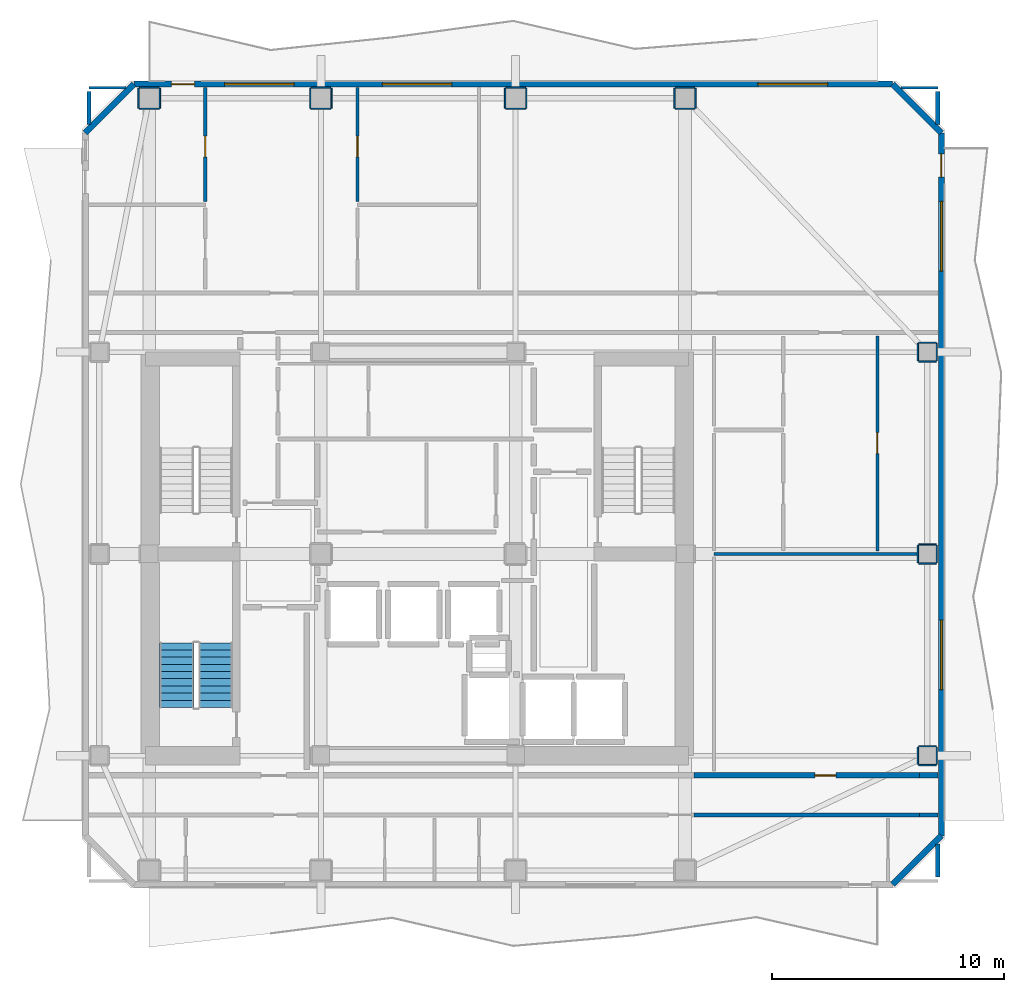
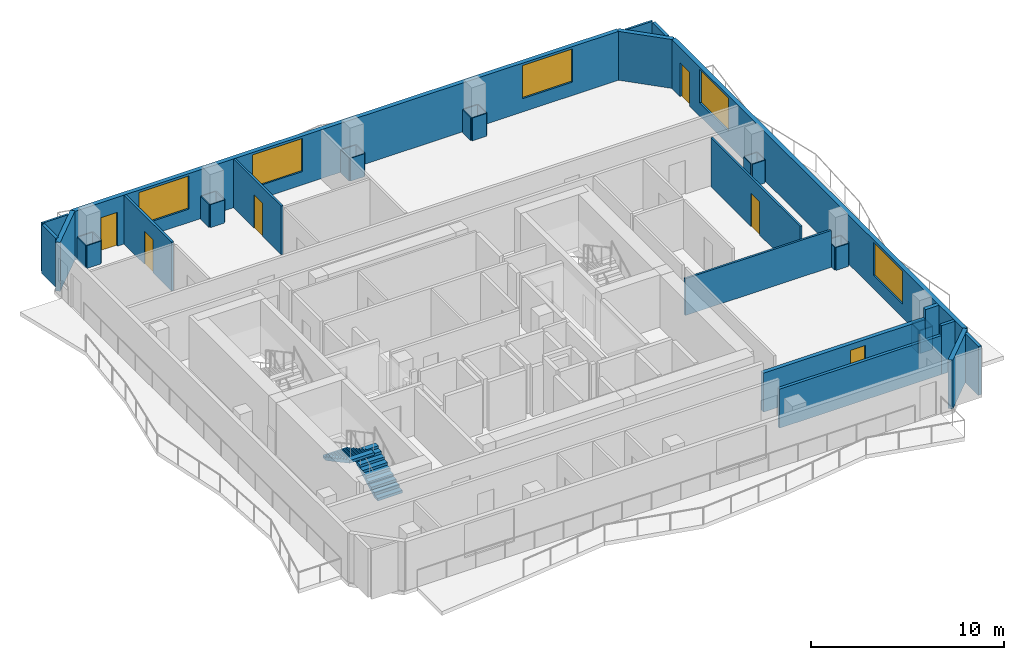
# One storey, part 5 of 9: 46 walls, 6 doors, 5 windows, 2 stair flights, 11 openings, 1 element without a shape of its own.
"""IFC4 building model written with IfcOpenShell, lengths in metres."""

from ifc_helpers import new_model, si_unit, direction, frame, frame_2d, origin, place, context, subcontext, project, spatial, polyline, rectangle, outline, extrude, material, layer, layer_set, type_object, element, fill, aggregate, save


model = new_model("IFC4")

# Units and contexts
model_context = context("Model", 3, precision=1e-05, world=origin(), true_north=direction((0.0, 1.0)))
body_context = subcontext(model_context, "Body", "Model", "MODEL_VIEW")
ifc_project = project(units=[si_unit("LENGTHUNIT", "METRE"), si_unit("AREAUNIT", "SQUARE_METRE"), si_unit("VOLUMEUNIT", "CUBIC_METRE"), si_unit("PLANEANGLEUNIT", "RADIAN"), si_unit("MASSUNIT", "GRAM", prefix="KILO")], contexts=[model_context])

# Site, building, storey
site_placement = place(None, origin())
site = spatial("IfcSite", under=ifc_project, at=site_placement, CompositionType="ELEMENT")
building_placement = place(site_placement, origin())
building = spatial("IfcBuilding", under=site, at=building_placement, Name="Solanera Arch Residences", CompositionType="ELEMENT")
storey_placement = place(building_placement, frame((0.0, 0.0, 241.239990234375)))
storey = spatial("IfcBuildingStorey", under=building, at=storey_placement, Name="L70", CompositionType="ELEMENT", Elevation=241.239990234375)

# Walls
ifc_material_1 = material(Name="Fire-Rated Gypsum Stud Partition", Category="gypsum")
ifc_layer_1 = layer(ifc_material_1, 0.06005859375)
ifc_layer_set_1 = layer_set([ifc_layer_1], Name="Fire-Rated Gypsum Stud Partition")
wall_type_1 = type_object("IfcWallType", Name="Column Acoustic Furring Wall 60", PredefinedType="PARTITIONING", material=ifc_layer_set_1)
for number, where, z_axis, x_axis, name in (
    (1, (12.97509765625, 49.89306640625, 0.0), (0.0, 0.0, 1.0), (1.0, 0.0, 0.0), "L70 Column Furring 10S"),
    (2, (12.97509765625, 50.806884765625, 0.0), (0.0, 0.0, 1.0), (1.0, 0.0, 0.0), "L70 Column Furring 10N"),
    (3, (12.943115234375, 49.925048828125, 0.0), (0.0, 0.0, 1.0), (0.0, 1.0, 0.0), "L70 Column Furring 10W"),
    (4, (13.85693359375, 49.925048828125, 0.0), (0.0, 0.0, 1.0), (0.0, 1.0, 0.0), "L70 Column Furring 10E"),
):
    element("IfcWall", number, at=place(storey_placement, frame(where, z_axis=z_axis, x_axis=x_axis)), inside=storey, type_object=wall_type_1, Name=name, PredefinedType="PARTITIONING", context=body_context, shape_type="SweptSolid", body=[
        extrude(rectangle(XDim=0.849853515625, YDim=0.06005859375, at=frame_2d((0.4248046875, 0.0))), origin(), (0.0, 0.0, 1.0), 1.449951171875),
    ])
for number, where, z_axis, x_axis, name in (
    (5, (20.375, 49.89306640625, 0.0), (0.0, 0.0, 1.0), (1.0, 0.0, 0.0), "L70 Column Furring 12S"),
    (6, (20.375, 50.806884765625, 0.0), (0.0, 0.0, 1.0), (1.0, 0.0, 0.0), "L70 Column Furring 12N"),
):
    element("IfcWall", number, at=place(storey_placement, frame(where, z_axis=z_axis, x_axis=x_axis)), inside=storey, type_object=wall_type_1, Name=name, PredefinedType="PARTITIONING", context=body_context, shape_type="SweptSolid", body=[
        extrude(rectangle(XDim=0.85009765625, YDim=0.06005859375, at=frame_2d((0.425048828125, 0.0))), origin(), (0.0, 0.0, 1.0), 1.449951171875),
    ])
for number, where, z_axis, x_axis, name in (
    (7, (20.343017578125, 49.925048828125, 0.0), (0.0, 0.0, 1.0), (0.0, 1.0, 0.0), "L70 Column Furring 12W"),
    (8, (21.257080078125, 49.925048828125, 0.0), (0.0, 0.0, 1.0), (0.0, 1.0, 0.0), "L70 Column Furring 12E"),
):
    element("IfcWall", number, at=place(storey_placement, frame(where, z_axis=z_axis, x_axis=x_axis)), inside=storey, type_object=wall_type_1, Name=name, PredefinedType="PARTITIONING", context=body_context, shape_type="SweptSolid", body=[
        extrude(rectangle(XDim=0.849853515625, YDim=0.06005859375, at=frame_2d((0.4248046875, 0.0))), origin(), (0.0, 0.0, 1.0), 1.449951171875),
    ])
for number, where, z_axis, x_axis, name in (
    (9, (28.77490234375, 49.89306640625, 0.0), (0.0, 0.0, 1.0), (1.0, 0.0, 0.0), "L70 Column Furring 14S"),
    (10, (28.77490234375, 50.806884765625, 0.0), (0.0, 0.0, 1.0), (1.0, 0.0, 0.0), "L70 Column Furring 14N"),
):
    element("IfcWall", number, at=place(storey_placement, frame(where, z_axis=z_axis, x_axis=x_axis)), inside=storey, type_object=wall_type_1, Name=name, PredefinedType="PARTITIONING", context=body_context, shape_type="SweptSolid", body=[
        extrude(rectangle(XDim=0.85009765625, YDim=0.06005859375, at=frame_2d((0.425048828125, 0.0))), origin(), (0.0, 0.0, 1.0), 1.449951171875),
    ])
for number, where, z_axis, x_axis, name in (
    (11, (28.742919921875, 49.925048828125, 0.0), (0.0, 0.0, 1.0), (0.0, 1.0, 0.0), "L70 Column Furring 14W"),
    (12, (29.656982421875, 49.925048828125, 0.0), (0.0, 0.0, 1.0), (0.0, 1.0, 0.0), "L70 Column Furring 14E"),
):
    element("IfcWall", number, at=place(storey_placement, frame(where, z_axis=z_axis, x_axis=x_axis)), inside=storey, type_object=wall_type_1, Name=name, PredefinedType="PARTITIONING", context=body_context, shape_type="SweptSolid", body=[
        extrude(rectangle(XDim=0.849853515625, YDim=0.06005859375, at=frame_2d((0.4248046875, 0.0))), origin(), (0.0, 0.0, 1.0), 1.449951171875),
    ])
for number, where, z_axis, x_axis, name in (
    (13, (36.074951171875, 49.89306640625, 0.0), (0.0, 0.0, 1.0), (1.0, 0.0, 0.0), "L70 Column Furring 16S"),
    (14, (36.074951171875, 50.806884765625, 0.0), (0.0, 0.0, 1.0), (1.0, 0.0, 0.0), "L70 Column Furring 16N"),
):
    element("IfcWall", number, at=place(storey_placement, frame(where, z_axis=z_axis, x_axis=x_axis)), inside=storey, type_object=wall_type_1, Name=name, PredefinedType="PARTITIONING", context=body_context, shape_type="SweptSolid", body=[
        extrude(rectangle(XDim=0.85009765625, YDim=0.06005859375, at=frame_2d((0.425048828125, 0.0))), origin(), (0.0, 0.0, 1.0), 1.449951171875),
    ])
for number, where, z_axis, x_axis, name in (
    (15, (36.04296875, 49.925048828125, 0.0), (0.0, 0.0, 1.0), (0.0, 1.0, 0.0), "L70 Column Furring 16W"),
    (16, (36.95703125, 49.925048828125, 0.0), (0.0, 0.0, 1.0), (0.0, 1.0, 0.0), "L70 Column Furring 16E"),
):
    element("IfcWall", number, at=place(storey_placement, frame(where, z_axis=z_axis, x_axis=x_axis)), inside=storey, type_object=wall_type_1, Name=name, PredefinedType="PARTITIONING", context=body_context, shape_type="SweptSolid", body=[
        extrude(rectangle(XDim=0.849853515625, YDim=0.06005859375, at=frame_2d((0.4248046875, 0.0))), origin(), (0.0, 0.0, 1.0), 1.449951171875),
    ])
for number, where, z_axis, x_axis, name in (
    (17, (46.574951171875, 21.593017578125, 0.0), (0.0, 0.0, 1.0), (1.0, 0.0, 0.0), "L70 Column Furring 18S"),
    (18, (46.574951171875, 22.406982421875, 0.0), (0.0, 0.0, 1.0), (1.0, 0.0, 0.0), "L70 Column Furring 18N"),
    (19, (46.54296875, 21.625, 0.0), (0.0, 0.0, 1.0), (0.0, 1.0, 0.0), "L70 Column Furring 18W"),
    (20, (47.35693359375, 21.625, 0.0), (0.0, 0.0, 1.0), (0.0, 1.0, 0.0), "L70 Column Furring 18E"),
    (21, (46.574951171875, 30.29296875, 0.0), (0.0, 0.0, 1.0), (1.0, 0.0, 0.0), "L70 Column Furring 20S"),
    (22, (46.574951171875, 31.10693359375, 0.0), (0.0, 0.0, 1.0), (1.0, 0.0, 0.0), "L70 Column Furring 20N"),
    (23, (46.54296875, 30.324951171875, 0.0), (0.0, 0.0, 1.0), (0.0, 1.0, 0.0), "L70 Column Furring 20W"),
    (24, (47.35693359375, 30.324951171875, 0.0), (0.0, 0.0, 1.0), (0.0, 1.0, 0.0), "L70 Column Furring 20E"),
    (25, (46.574951171875, 38.992919921875, 0.0), (0.0, 0.0, 1.0), (1.0, 0.0, 0.0), "L70 Column Furring 22S"),
    (26, (46.574951171875, 39.806884765625, 0.0), (0.0, 0.0, 1.0), (1.0, 0.0, 0.0), "L70 Column Furring 22N"),
    (27, (46.54296875, 39.02490234375, 0.0), (0.0, 0.0, 1.0), (0.0, 1.0, 0.0), "L70 Column Furring 22W"),
    (28, (47.35693359375, 39.02490234375, 0.0), (0.0, 0.0, 1.0), (0.0, 1.0, 0.0), "L70 Column Furring 22E"),
):
    element("IfcWall", number, at=place(storey_placement, frame(where, z_axis=z_axis, x_axis=x_axis)), inside=storey, type_object=wall_type_1, Name=name, PredefinedType="PARTITIONING", context=body_context, shape_type="SweptSolid", body=[
        extrude(rectangle(XDim=0.75, YDim=0.06005859375, at=frame_2d((0.375, 0.0))), origin(), (0.0, 0.0, 1.0), 1.449951171875),
    ])
ifc_material_2 = material(Name="Autoclaved Aerated Concrete Blockwork", Category="masonry")
ifc_layer_2 = layer(ifc_material_2, 0.179931640625)
ifc_layer_set_2 = layer_set([ifc_layer_2], Name="Autoclaved Aerated Concrete Blockwork")
wall_type_2 = type_object("IfcWallType", Name="Corridor Fire Partition 180", PredefinedType="PARTITIONING", material=ifc_layer_set_2)
wall_1_placement = place(storey_placement, frame((36.888916015625, 19.449951171875, 0.0), z_axis=(0.0, 0.0, 1.0), x_axis=(1.0, 0.0, 0.0)))
element("IfcWall", 29, at=wall_1_placement, inside=storey, type_object=wall_type_2, Name="L70 Interior Partition H6 2", PredefinedType="PARTITIONING", context=body_context, shape_type="SweptSolid", body=[
    extrude(rectangle(XDim=9.72216796875, YDim=0.179931640625, at=frame_2d((4.861083984375, 0.0))), origin(), (0.0, 0.0, 1.0), 2.47705078125),
])
wall_2_placement = place(storey_placement, frame((46.611083984375, 19.449951171875, 0.0), z_axis=(0.0, 0.0, 1.0), x_axis=(1.0, 0.0, 0.0)))
element("IfcWall", 30, at=wall_2_placement, inside=storey, type_object=wall_type_2, Name="L70 Interior Partition H6 3", PredefinedType="PARTITIONING", context=body_context, shape_type="SweptSolid", body=[
    extrude(rectangle(XDim=0.802001953125, YDim=0.179931640625, at=frame_2d((0.40087890625, 0.0))), origin(), (0.0, 0.0, 1.0), 3.10009765625),
])
wall_3_placement = place(storey_placement, frame((10.800048828125, 49.2109375, 0.0), z_axis=(0.0, 0.0, 1.0), x_axis=(0.0, 1.0, 0.0)))
element("IfcWall", 31, at=wall_3_placement, inside=storey, type_object=wall_type_2, Name="L70 Interior Partition V7", PredefinedType="PARTITIONING", context=body_context, shape_type="SweptSolid", body=[
    extrude(rectangle(XDim=1.43115234375, YDim=0.179931640625, at=frame_2d((0.715576171875, 0.0))), origin(), (0.0, 0.0, 1.0), 3.10009765625),
])
wall_4_placement = place(storey_placement, frame((47.39990234375, 16.76806640625, 0.0), z_axis=(0.0, 0.0, 1.0), x_axis=(0.0, 1.0, 0.0)))
element("IfcWall", 32, at=wall_4_placement, inside=storey, type_object=wall_type_2, Name="L70 Interior Partition V10 1", PredefinedType="PARTITIONING", context=body_context, shape_type="SweptSolid", body=[
    extrude(rectangle(XDim=1.4208984375, YDim=0.179931640625, at=frame_2d((0.71044921875, 0.0))), origin(), (0.0, 0.0, 1.0), 3.10009765625),
])
wall_5_placement = place(storey_placement, frame((47.39990234375, 49.2109375, 0.0), z_axis=(0.0, 0.0, 1.0), x_axis=(0.0, 1.0, 0.0)))
element("IfcWall", 33, at=wall_5_placement, inside=storey, type_object=wall_type_2, Name="L70 Interior Partition V10 2", PredefinedType="PARTITIONING", context=body_context, shape_type="SweptSolid", body=[
    extrude(rectangle(XDim=1.43115234375, YDim=0.179931640625, at=frame_2d((0.715576171875, 0.0))), origin(), (0.0, 0.0, 1.0), 3.10009765625),
])
ifc_material_3 = material(Name="Precast Concrete C35/45", Category="concrete")
ifc_layer_3 = layer(ifc_material_3, 0.260009765625)
ifc_layer_set_3 = layer_set([ifc_layer_3], Name="Precast Concrete C35/45")
wall_type_3 = type_object("IfcWallType", Name="Exterior Wall Precast Masonry-Frame 260", PredefinedType="STANDARD", material=ifc_layer_set_3)
wall_6_placement = place(storey_placement, frame((10.64501953125, 48.85498046875, 0.0), z_axis=(0.0, 0.0, 1.0), x_axis=(0.707106781187, 0.707106781187, 0.0)))
element("IfcWall", 34, at=wall_6_placement, inside=storey, type_object=wall_type_3, Name="L70 Tower Exterior Precast Masonry-Frame Wall CH1", PredefinedType="STANDARD", context=body_context, shape_type="SweptSolid", body=[
    extrude(rectangle(XDim=2.969970703125, YDim=0.260009765625, at=frame_2d((1.48486328125, 0.0))), origin(), (0.0, 0.0, 1.0), 3.10009765625),
])

# Wall, openings, door, windows
wall_7_placement = place(storey_placement, frame((12.7451171875, 50.955078125, 0.0), z_axis=(0.0, 0.0, 1.0), x_axis=(1.0, 0.0, 0.0)))
wall_7 = element("IfcWall", 35, at=wall_7_placement, inside=storey, type_object=wall_type_3, Name="L70 Tower Exterior Precast Masonry-Frame Wall N", PredefinedType="STANDARD", context=body_context, shape_type="SweptSolid", body=[
    extrude(rectangle(XDim=32.7099609375, YDim=0.260009765625, at=frame_2d((16.35498046875, 0.0))), origin(), (0.0, 0.0, 1.0), 3.10009765625),
])
opening_1_placement = place(wall_7_placement, frame((1.610107421875, 0.0, 0.0)))
opening_1 = element("IfcOpeningElement", 36, at=opening_1_placement, cuts=wall_7, Name="Opening DB-01", PredefinedType="OPENING", context=body_context, shape_type="SweptSolid", body=[
    extrude(rectangle(XDim=1.0, YDim=2.14990234375, at=frame_2d((0.5, 1.074951171875))), frame((0.0, 0.139892578125, 0.0), z_axis=(0.0, -1.0, 0.0), x_axis=(1.0, 0.0, 0.0)), (0.0, 0.0, 1.0), 0.28),
])
opening_2_placement = place(wall_7_placement, frame((3.90087890625, 0.0, 0.85009765625)))
opening_2 = element("IfcOpeningElement", 37, at=opening_2_placement, cuts=wall_7, Name="Opening W-12", PredefinedType="OPENING", context=body_context, shape_type="SweptSolid", body=[
    extrude(rectangle(XDim=3.0, YDim=2.10009765625, at=frame_2d((1.5, 1.050048828125))), frame((0.0, 0.139892578125, 0.0), z_axis=(0.0, -1.0, 0.0), x_axis=(1.0, 0.0, 0.0)), (0.0, 0.0, 1.0), 0.28),
])
opening_3_placement = place(wall_7_placement, frame((10.705078125, 0.0, 0.85009765625)))
opening_3 = element("IfcOpeningElement", 38, at=opening_3_placement, cuts=wall_7, Name="Opening W-12", PredefinedType="OPENING", context=body_context, shape_type="SweptSolid", body=[
    extrude(rectangle(XDim=3.0, YDim=2.10009765625, at=frame_2d((1.5, 1.050048828125))), frame((0.0, 0.139892578125, 0.0), z_axis=(0.0, -1.0, 0.0), x_axis=(1.0, 0.0, 0.0)), (0.0, 0.0, 1.0), 0.28),
])
opening_4_placement = place(wall_7_placement, frame((26.89990234375, 0.0, 0.85009765625)))
opening_4 = element("IfcOpeningElement", 39, at=opening_4_placement, cuts=wall_7, Name="Opening W-12", PredefinedType="OPENING", context=body_context, shape_type="SweptSolid", body=[
    extrude(rectangle(XDim=3.0, YDim=2.10009765625, at=frame_2d((1.5, 1.050048828125))), frame((0.0, 0.139892578125, 0.0), z_axis=(0.0, -1.0, 0.0), x_axis=(1.0, 0.0, 0.0)), (0.0, 0.0, 1.0), 0.28),
])
ifc_material_4 = material(Name="Anodised Aluminium Alloy 6063-T6", Category="aluminium")
door_type_1 = type_object("IfcDoorType", Name="Glazed Balcony Swing Door DB-01", OperationType="NOTDEFINED", PredefinedType="DOOR", material=ifc_material_4)
door_1_placement = place(opening_1_placement, origin())
door_1 = element("IfcDoor", 40, at=door_1_placement, inside=storey, type_object=door_type_1, Name="DR-L70-OUT-02", OperationType="SINGLE_SWING_LEFT", OverallHeight=2.14990234375, OverallWidth=1.0, PredefinedType="DOOR", context=body_context, shape_type="SweptSolid", body=[
    extrude(rectangle(XDim=1.0, YDim=2.14990234375, at=frame_2d((0.5, 1.074951171875))), frame((0.0, 0.02490234375, 0.0), z_axis=(0.0, -1.0, 0.0), x_axis=(1.0, 0.0, 0.0)), (0.0, 0.0, 1.0), 0.050048828125),
])
fill(opening_1, door_1)
ifc_material_5 = material(Name="Double Glazed Low-E Laminated Glass", Category="glass")
window_type = type_object("IfcWindowType", Name="Punched Window W-12", PartitioningType="TRIPLE_PANEL_VERTICAL", PredefinedType="WINDOW", material=ifc_material_5)
window_1_placement = place(opening_2_placement, origin())
window_1 = element("IfcWindow", 41, at=window_1_placement, inside=storey, type_object=window_type, Name="L70 7003-LIV Punched Window", OverallHeight=2.10009765625, OverallWidth=3.0, PartitioningType="SINGLE_PANEL", PredefinedType="WINDOW", context=body_context, shape_type="SweptSolid", body=[
    extrude(rectangle(XDim=3.0, YDim=2.10009765625, at=frame_2d((1.5, 1.050048828125))), frame((0.0, 0.030029296875, 0.0), z_axis=(0.0, -1.0, 0.0), x_axis=(1.0, 0.0, 0.0)), (0.0, 0.0, 1.0), 0.06005859375),
])
fill(opening_2, window_1)
window_2_placement = place(opening_3_placement, origin())
window_2 = element("IfcWindow", 42, at=window_2_placement, inside=storey, type_object=window_type, Name="L70 7003-BR2 Punched Window", OverallHeight=2.10009765625, OverallWidth=3.0, PartitioningType="SINGLE_PANEL", PredefinedType="WINDOW", context=body_context, shape_type="SweptSolid", body=[
    extrude(rectangle(XDim=3.0, YDim=2.10009765625, at=frame_2d((1.5, 1.050048828125))), frame((0.0, 0.030029296875, 0.0), z_axis=(0.0, -1.0, 0.0), x_axis=(1.0, 0.0, 0.0)), (0.0, 0.0, 1.0), 0.06005859375),
])
fill(opening_3, window_2)
window_3_placement = place(opening_4_placement, origin())
window_3 = element("IfcWindow", 43, at=window_3_placement, inside=storey, type_object=window_type, Name="L70 AMN-LIB Punched Window", OverallHeight=2.10009765625, OverallWidth=3.0, PartitioningType="SINGLE_PANEL", PredefinedType="WINDOW", context=body_context, shape_type="SweptSolid", body=[
    extrude(rectangle(XDim=3.0, YDim=2.10009765625, at=frame_2d((1.5, 1.050048828125))), frame((0.0, 0.030029296875, 0.0), z_axis=(0.0, -1.0, 0.0), x_axis=(1.0, 0.0, 0.0)), (0.0, 0.0, 1.0), 0.06005859375),
])
fill(opening_4, window_3)

# Wall
wall_8_placement = place(storey_placement, frame((45.455078125, 50.955078125, 0.0), z_axis=(0.0, 0.0, 1.0), x_axis=(0.707065676302, -0.707147883682, 0.0)))
element("IfcWall", 44, at=wall_8_placement, inside=storey, type_object=wall_type_3, Name="L70 Tower Exterior Precast Masonry-Frame Wall CH3", PredefinedType="STANDARD", context=body_context, shape_type="SweptSolid", body=[
    extrude(rectangle(XDim=2.9697265625, YDim=0.260009765625, at=frame_2d((1.48486328125, 0.0))), origin(), (0.0, 0.0, 1.0), 3.10009765625),
])

# Wall, openings, door, windows
wall_9_placement = place(storey_placement, frame((47.554931640625, 48.85498046875, 0.0), z_axis=(0.0, 0.0, 1.0), x_axis=(0.0, -1.0, 0.0)))
wall_9 = element("IfcWall", 45, at=wall_9_placement, inside=storey, type_object=wall_type_3, Name="L70 Tower Exterior Precast Masonry-Frame Wall E", PredefinedType="STANDARD", context=body_context, shape_type="SweptSolid", body=[
    extrude(rectangle(XDim=30.31005859375, YDim=0.260009765625, at=frame_2d((15.155029296875, 0.0))), origin(), (0.0, 0.0, 1.0), 3.10009765625),
])
opening_5_placement = place(wall_9_placement, frame((0.909912109375, 0.0, 0.0)))
opening_5 = element("IfcOpeningElement", 46, at=opening_5_placement, cuts=wall_9, Name="Opening DB-01", PredefinedType="OPENING", context=body_context, shape_type="SweptSolid", body=[
    extrude(rectangle(XDim=1.0, YDim=2.14990234375, at=frame_2d((0.5, 1.074951171875))), frame((0.0, 0.139892578125, 0.0), z_axis=(0.0, -1.0, 0.0), x_axis=(1.0, 0.0, 0.0)), (0.0, 0.0, 1.0), 0.28),
])
opening_6_placement = place(wall_9_placement, frame((2.95703125, 0.0, 0.85009765625)))
opening_6 = element("IfcOpeningElement", 47, at=opening_6_placement, cuts=wall_9, Name="Opening W-12", PredefinedType="OPENING", context=body_context, shape_type="SweptSolid", body=[
    extrude(rectangle(XDim=3.0, YDim=2.10009765625, at=frame_2d((1.5, 1.050048828125))), frame((0.0, 0.139892578125, 0.0), z_axis=(0.0, -1.0, 0.0), x_axis=(1.0, 0.0, 0.0)), (0.0, 0.0, 1.0), 0.28),
])
opening_7_placement = place(wall_9_placement, frame((21.0048828125, 0.0, 0.85009765625)))
opening_7 = element("IfcOpeningElement", 48, at=opening_7_placement, cuts=wall_9, Name="Opening W-12", PredefinedType="OPENING", context=body_context, shape_type="SweptSolid", body=[
    extrude(rectangle(XDim=3.0, YDim=2.10009765625, at=frame_2d((1.5, 1.050048828125))), frame((0.0, 0.139892578125, 0.0), z_axis=(0.0, -1.0, 0.0), x_axis=(1.0, 0.0, 0.0)), (0.0, 0.0, 1.0), 0.28),
])
door_2_placement = place(opening_5_placement, origin())
door_2 = element("IfcDoor", 49, at=door_2_placement, inside=storey, type_object=door_type_1, Name="DR-L70-OUT-03", OperationType="SINGLE_SWING_RIGHT", OverallHeight=2.14990234375, OverallWidth=1.0, PredefinedType="DOOR", context=body_context, shape_type="SweptSolid", body=[
    extrude(rectangle(XDim=1.0, YDim=2.14990234375, at=frame_2d((0.5, 1.074951171875))), frame((0.0, 0.02490234375, 0.0), z_axis=(0.0, -1.0, 0.0), x_axis=(1.0, 0.0, 0.0)), (0.0, 0.0, 1.0), 0.050048828125),
])
fill(opening_5, door_2)
window_4_placement = place(opening_6_placement, origin())
window_4 = element("IfcWindow", 50, at=window_4_placement, inside=storey, type_object=window_type, Name="L70 AMN-LIB Punched Window", OverallHeight=2.10009765625, OverallWidth=3.0, PartitioningType="SINGLE_PANEL", PredefinedType="WINDOW", context=body_context, shape_type="SweptSolid", body=[
    extrude(rectangle(XDim=3.0, YDim=2.10009765625, at=frame_2d((1.5, 1.050048828125))), frame((0.0, 0.030029296875, 0.0), z_axis=(0.0, -1.0, 0.0), x_axis=(1.0, 0.0, 0.0)), (0.0, 0.0, 1.0), 0.06005859375),
])
fill(opening_6, window_4)
window_5_placement = place(opening_7_placement, origin())
window_5 = element("IfcWindow", 51, at=window_5_placement, inside=storey, type_object=window_type, Name="L70 AMN-STDE Punched Window", OverallHeight=2.10009765625, OverallWidth=3.0, PartitioningType="SINGLE_PANEL", PredefinedType="WINDOW", context=body_context, shape_type="SweptSolid", body=[
    extrude(rectangle(XDim=3.0, YDim=2.10009765625, at=frame_2d((1.5, 1.050048828125))), frame((0.0, 0.030029296875, 0.0), z_axis=(0.0, -1.0, 0.0), x_axis=(1.0, 0.0, 0.0)), (0.0, 0.0, 1.0), 0.06005859375),
])
fill(opening_7, window_5)

# Wall
wall_10_placement = place(storey_placement, frame((47.554931640625, 18.544921875, 0.0), z_axis=(0.0, 0.0, 1.0), x_axis=(-0.707106781187, -0.707106781187, 0.0)))
element("IfcWall", 52, at=wall_10_placement, inside=storey, type_object=wall_type_3, Name="L70 Tower Exterior Precast Masonry-Frame Wall CH5", PredefinedType="STANDARD", context=body_context, shape_type="SweptSolid", body=[
    extrude(rectangle(XDim=2.9697265625, YDim=0.260009765625, at=frame_2d((1.48486328125, 0.0))), origin(), (0.0, 0.0, 1.0), 3.10009765625),
])

# Wall, opening, door
ifc_material_6 = material(Name="Autoclaved Aerated Concrete Blockwork", Category="masonry")
ifc_layer_4 = layer(ifc_material_6, 0.239990234375)
ifc_layer_set_4 = layer_set([ifc_layer_4], Name="Autoclaved Aerated Concrete Blockwork")
wall_type_4 = type_object("IfcWallType", Name="Shaft Wall Fire-Rated 240", PredefinedType="PARTITIONING", material=ifc_layer_set_4)
wall_11_placement = place(storey_placement, frame((36.888916015625, 21.14990234375, 0.0), z_axis=(0.0, 0.0, 1.0), x_axis=(1.0, 0.0, 0.0)))
wall_11 = element("IfcWall", 53, at=wall_11_placement, inside=storey, type_object=wall_type_4, Name="L70 Interior Partition H1 2", PredefinedType="PARTITIONING", context=body_context, shape_type="SweptSolid", body=[
    extrude(rectangle(XDim=9.72216796875, YDim=0.239990234375, at=frame_2d((4.861083984375, 0.0))), origin(), (0.0, 0.0, 1.0), 2.47705078125),
])
opening_8_placement = place(wall_11_placement, frame((5.2119140625, 0.0, 0.0)))
opening_8 = element("IfcOpeningElement", 54, at=opening_8_placement, cuts=wall_11, Name="Opening DI-02", PredefinedType="OPENING", context=body_context, shape_type="SweptSolid", body=[
    extrude(rectangle(XDim=0.89990234375, YDim=2.10009765625, at=frame_2d((0.449951171875, 1.050048828125))), frame((0.0, 0.1298828125, 0.0), z_axis=(0.0, -1.0, 0.0), x_axis=(1.0, 0.0, 0.0)), (0.0, 0.0, 1.0), 0.26),
])
ifc_material_7 = material(Name="Fire-Rated Architectural Hardwood", Category="wood")
door_type_2 = type_object("IfcDoorType", Name="Suite Room Swing Door DI-02", OperationType="NOTDEFINED", PredefinedType="DOOR", material=ifc_material_7)
door_3_placement = place(opening_8_placement, origin())
door_3 = element("IfcDoor", 55, at=door_3_placement, inside=storey, type_object=door_type_2, Name="DR-L70-IN-026", OperationType="SINGLE_SWING_RIGHT", OverallHeight=2.10009765625, OverallWidth=0.89990234375, PredefinedType="DOOR", context=body_context, shape_type="SweptSolid", body=[
    extrude(rectangle(XDim=0.89990234375, YDim=2.10009765625, at=frame_2d((0.449951171875, 1.050048828125))), frame((0.0, 0.02490234375, 0.0), z_axis=(0.0, -1.0, 0.0), x_axis=(1.0, 0.0, 0.0)), (0.0, 0.0, 1.0), 0.050048828125),
])
fill(opening_8, door_3)

# Walls
wall_12_placement = place(storey_placement, frame((46.611083984375, 21.14990234375, 0.0), z_axis=(0.0, 0.0, 1.0), x_axis=(1.0, 0.0, 0.0)))
element("IfcWall", 56, at=wall_12_placement, inside=storey, type_object=wall_type_4, Name="L70 Interior Partition H1 3", PredefinedType="PARTITIONING", context=body_context, shape_type="SweptSolid", body=[
    extrude(rectangle(XDim=0.802001953125, YDim=0.239990234375, at=frame_2d((0.40087890625, 0.0))), origin(), (0.0, 0.0, 1.0), 3.10009765625),
])
ifc_material_8 = material(Name="Fire-Rated Gypsum Stud Partition", Category="gypsum")
ifc_layer_5 = layer(ifc_material_8, 0.1201171875)
ifc_layer_set_5 = layer_set([ifc_layer_5], Name="Fire-Rated Gypsum Stud Partition")
wall_type_5 = type_object("IfcWallType", Name="Unit Drywall Partition 120", PredefinedType="PARTITIONING", material=ifc_layer_set_5)
wall_13_placement = place(storey_placement, frame((37.75, 30.699951171875, 0.0), z_axis=(0.0, 0.0, 1.0), x_axis=(1.0, 0.0, 0.0)))
element("IfcWall", 57, at=wall_13_placement, inside=storey, type_object=wall_type_5, Name="L70 Interior Partition H17", PredefinedType="PARTITIONING", context=body_context, shape_type="SweptSolid", body=[
    extrude(rectangle(XDim=8.7529296875, YDim=0.1201171875, at=frame_2d((4.37646484375, 0.0))), origin(), (0.0, 0.0, 1.0), 2.3349609375),
])
for number, where, z_axis, x_axis, name in (
    (58, (10.800048828125, 50.800048828125, 0.0), (0.0, 0.0, 1.0), (1.0, 0.0, 0.0), "L70 Interior Partition H19 1"),
    (59, (45.81103515625, 50.800048828125, 0.0), (0.0, 0.0, 1.0), (1.0, 0.0, 0.0), "L70 Interior Partition H19 2"),
):
    element("IfcWall", number, at=place(storey_placement, frame(where, z_axis=z_axis, x_axis=x_axis)), inside=storey, type_object=wall_type_5, Name=name, PredefinedType="PARTITIONING", context=body_context, shape_type="SweptSolid", body=[
        extrude(rectangle(XDim=1.5888671875, YDim=0.1201171875, at=frame_2d((0.79443359375, 0.0))), origin(), (0.0, 0.0, 1.0), 3.10009765625),
    ])

# Wall, opening, door
wall_14_placement = place(storey_placement, frame((22.3798828125, 45.89404296875, 0.0), z_axis=(0.0, 0.0, 1.0), x_axis=(0.0, 1.0, 0.0)))
wall_14 = element("IfcWall", 60, at=wall_14_placement, inside=storey, type_object=wall_type_5, Name="L70 Interior Partition V18 2", PredefinedType="PARTITIONING", context=body_context, shape_type="SweptSolid", body=[
    extrude(rectangle(XDim=4.9189453125, YDim=0.1201171875, at=frame_2d((2.45947265625, 0.0))), origin(), (0.0, 0.0, 1.0), 3.10009765625),
])
opening_9_placement = place(wall_14_placement, frame((1.9208984375, 0.0, 0.0)))
opening_9 = element("IfcOpeningElement", 61, at=opening_9_placement, cuts=wall_14, Name="Opening DI-03", PredefinedType="OPENING", context=body_context, shape_type="SweptSolid", body=[
    extrude(rectangle(XDim=0.89990234375, YDim=2.10009765625, at=frame_2d((0.449951171875, 1.050048828125))), frame((0.0, 0.070068359375, 0.0), z_axis=(0.0, -1.0, 0.0), x_axis=(1.0, 0.0, 0.0)), (0.0, 0.0, 1.0), 0.1401),
])
ifc_material_9 = material(Name="Fire-Rated Architectural Hardwood", Category="wood")
door_type_3 = type_object("IfcDoorType", Name="Bedroom Swing Door DI-03", OperationType="NOTDEFINED", PredefinedType="DOOR", material=ifc_material_9)
door_4_placement = place(opening_9_placement, origin())
door_4 = element("IfcDoor", 62, at=door_4_placement, inside=storey, type_object=door_type_3, Name="DR-L70-IN-024", OperationType="SINGLE_SWING_RIGHT", OverallHeight=2.10009765625, OverallWidth=0.89990234375, PredefinedType="DOOR", context=body_context, shape_type="SweptSolid", body=[
    extrude(rectangle(XDim=0.89990234375, YDim=2.10009765625, at=frame_2d((0.449951171875, 1.050048828125))), frame((0.0, 0.02490234375, 0.0), z_axis=(0.0, -1.0, 0.0), x_axis=(1.0, 0.0, 0.0)), (0.0, 0.0, 1.0), 0.050048828125),
])
fill(opening_9, door_4)

wall_15_placement = place(storey_placement, frame((44.794921875, 30.827880859375, 0.0), z_axis=(0.0, 0.0, 1.0), x_axis=(0.0, 1.0, 0.0)))
wall_15 = element("IfcWall", 63, at=wall_15_placement, inside=storey, type_object=wall_type_5, Name="L70 Interior Partition V22", PredefinedType="PARTITIONING", context=body_context, shape_type="SweptSolid", body=[
    extrude(rectangle(XDim=9.26416015625, YDim=0.1201171875, at=frame_2d((4.632080078125, 0.0))), origin(), (0.0, 0.0, 1.0), 3.10009765625),
])
opening_10_placement = place(wall_15_placement, frame((4.197021484375, 0.0, 0.0)))
opening_10 = element("IfcOpeningElement", 64, at=opening_10_placement, cuts=wall_15, Name="Opening DI-02", PredefinedType="OPENING", context=body_context, shape_type="SweptSolid", body=[
    extrude(rectangle(XDim=0.89990234375, YDim=2.10009765625, at=frame_2d((0.449951171875, 1.050048828125))), frame((0.0, 0.070068359375, 0.0), z_axis=(0.0, -1.0, 0.0), x_axis=(1.0, 0.0, 0.0)), (0.0, 0.0, 1.0), 0.1401),
])
door_5_placement = place(opening_10_placement, origin())
door_5 = element("IfcDoor", 65, at=door_5_placement, inside=storey, type_object=door_type_2, Name="DR-L70-IN-030", OperationType="SINGLE_SWING_RIGHT", OverallHeight=2.10009765625, OverallWidth=0.89990234375, PredefinedType="DOOR", context=body_context, shape_type="SweptSolid", body=[
    extrude(rectangle(XDim=0.89990234375, YDim=2.10009765625, at=frame_2d((0.449951171875, 1.050048828125))), frame((0.0, 0.02490234375, 0.0), z_axis=(0.0, -1.0, 0.0), x_axis=(1.0, 0.0, 0.0)), (0.0, 0.0, 1.0), 0.050048828125),
])
fill(opening_10, door_5)

ifc_material_10 = material(Name="Autoclaved Aerated Concrete Blockwork", Category="masonry")
ifc_layer_6 = layer(ifc_material_10, 0.139892578125)
ifc_layer_set_6 = layer_set([ifc_layer_6], Name="Autoclaved Aerated Concrete Blockwork")
wall_type_6 = type_object("IfcWallType", Name="Wet-Room Partition 140", PredefinedType="PARTITIONING", material=ifc_layer_set_6)
wall_16_placement = place(storey_placement, frame((15.81591796875, 45.904052734375, 0.0), z_axis=(0.0, 0.0, 1.0), x_axis=(0.0, 1.0, 0.0)))
wall_16 = element("IfcWall", 66, at=wall_16_placement, inside=storey, type_object=wall_type_6, Name="L70 Interior Partition V12 2", PredefinedType="PARTITIONING", context=body_context, shape_type="SweptSolid", body=[
    extrude(rectangle(XDim=4.908935546875, YDim=0.139892578125, at=frame_2d((2.45458984375, 0.0))), origin(), (0.0, 0.0, 1.0), 3.10009765625),
])
opening_11_placement = place(wall_16_placement, frame((1.910888671875, 0.0, 0.0)))
opening_11 = element("IfcOpeningElement", 67, at=opening_11_placement, cuts=wall_16, Name="Opening DI-03", PredefinedType="OPENING", context=body_context, shape_type="SweptSolid", body=[
    extrude(rectangle(XDim=0.89990234375, YDim=2.10009765625, at=frame_2d((0.449951171875, 1.050048828125))), frame((0.0, 0.079833984375, 0.0), z_axis=(0.0, -1.0, 0.0), x_axis=(1.0, 0.0, 0.0)), (0.0, 0.0, 1.0), 0.1599),
])
door_6_placement = place(opening_11_placement, origin())
door_6 = element("IfcDoor", 68, at=door_6_placement, inside=storey, type_object=door_type_3, Name="DR-L70-IN-022", OperationType="SINGLE_SWING_RIGHT", OverallHeight=2.10009765625, OverallWidth=0.89990234375, PredefinedType="DOOR", context=body_context, shape_type="SweptSolid", body=[
    extrude(rectangle(XDim=0.89990234375, YDim=2.10009765625, at=frame_2d((0.449951171875, 1.050048828125))), frame((0.0, 0.02490234375, 0.0), z_axis=(0.0, -1.0, 0.0), x_axis=(1.0, 0.0, 0.0)), (0.0, 0.0, 1.0), 0.050048828125),
])
fill(opening_11, door_6)

# Stair, stair flights
ifc_material_11 = material(Name="Concrete C40/50 (f'c = 45 MPa)", Category="concrete")
stair_type = type_object("IfcStairType", Name="Tower Dogleg Exit Stair 1480", PredefinedType="HALF_TURN_STAIR", material=ifc_material_11)
stair_placement = place(storey_placement, origin())
stair = element("IfcStair", 69, at=stair_placement, inside=storey, type_object=stair_type, Name="L70 Tower Core Exit Stair 3", PredefinedType="HALF_TURN_STAIR")
ifc_material_12 = material(Name="Concrete C40/50 (f'c = 45 MPa)", Category="concrete")
stair_flight_type = type_object("IfcStairFlightType", Name="Tower Precast Stair Flight 1480", PredefinedType="STRAIGHT", material=ifc_material_12)
stair_flight_1_placement = place(storey_placement, frame((16.260009765625, 24.080078125, 0.0), z_axis=(0.0, 0.0, 1.0), x_axis=(0.0, 1.0, 0.0)))
stair_flight_1 = element("IfcStairFlight", 70, at=stair_flight_1_placement, type_object=stair_flight_type, Name="ST-T3 flight 1", NumberOfRisers=10, NumberOfTreads=9, PredefinedType="STRAIGHT", RiserHeight=0.166, TreadLength=0.31, context=body_context, shape_type="SweptSolid", body=[
    extrude(outline(polyline([(0.0, 0.0), (0.0, 0.166015625), (0.31005859375, 0.166015625), (0.31005859375, 0.33203125), (0.6201171875, 0.33203125), (0.6201171875, 0.498046875), (0.929931640625, 0.498046875), (0.929931640625, 0.6640625), (1.239990234375, 0.6640625), (1.239990234375, 0.830078125), (1.550048828125, 0.830078125), (1.550048828125, 0.99609375), (1.860107421875, 0.99609375), (1.860107421875, 1.162109375), (2.169921875, 1.162109375), (2.169921875, 1.327880859375), (2.47998046875, 1.327880859375), (2.47998046875, 1.493896484375), (2.7900390625, 1.493896484375), (2.7900390625, 1.659912109375), (2.7900390625, 1.323974609375), (0.317626953125, 0.0), (0.0, 0.0)])), frame((0.0, 0.739990234375, 0.0), z_axis=(0.0, -1.0, 0.0), x_axis=(1.0, 0.0, 0.0)), (0.0, 0.0, 1.0), 1.47998046875),
])
stair_flight_2_placement = place(storey_placement, frame((14.580078125, 26.8701171875, 1.659912109375), z_axis=(0.0, 0.0, 1.0), x_axis=(0.0, -1.0, 0.0)))
stair_flight_2 = element("IfcStairFlight", 71, at=stair_flight_2_placement, type_object=stair_flight_type, Name="ST-T3 flight 2", NumberOfRisers=10, NumberOfTreads=9, PredefinedType="STRAIGHT", RiserHeight=0.166, TreadLength=0.31, context=body_context, shape_type="SweptSolid", body=[
    extrude(outline(polyline([(0.0, 0.0), (0.0, 0.166015625), (0.31005859375, 0.166015625), (0.31005859375, 0.33203125), (0.6201171875, 0.33203125), (0.6201171875, 0.498046875), (0.929931640625, 0.498046875), (0.929931640625, 0.6640625), (1.239990234375, 0.6640625), (1.239990234375, 0.830078125), (1.550048828125, 0.830078125), (1.550048828125, 0.99609375), (1.860107421875, 0.99609375), (1.860107421875, 1.162109375), (2.169921875, 1.162109375), (2.169921875, 1.327880859375), (2.47998046875, 1.327880859375), (2.47998046875, 1.493896484375), (2.7900390625, 1.493896484375), (2.7900390625, 1.659912109375), (2.7900390625, 1.323974609375), (0.317626953125, 0.0), (0.0, 0.0)])), frame((0.0, 0.739990234375, 0.0), z_axis=(0.0, -1.0, 0.0), x_axis=(1.0, 0.0, 0.0)), (0.0, 0.0, 1.0), 1.47998046875),
])
aggregate(stair, [stair_flight_1, stair_flight_2])

save(model, "model.ifc")
